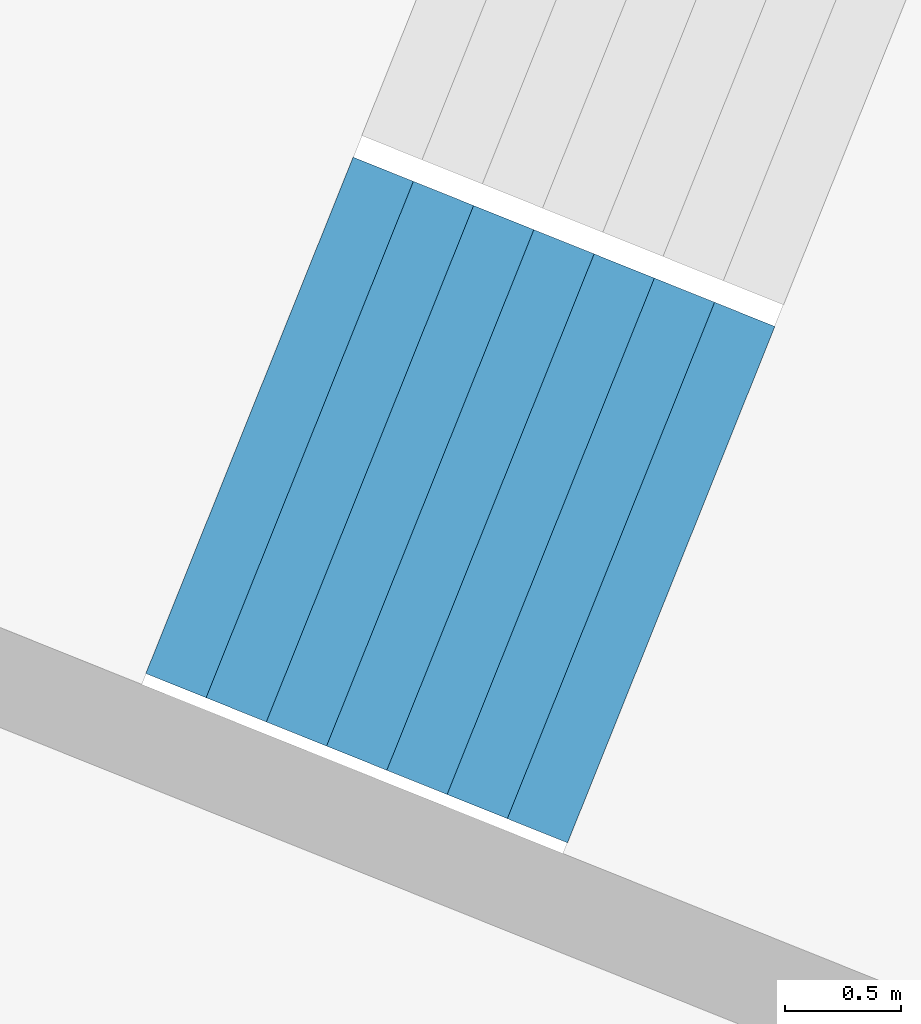
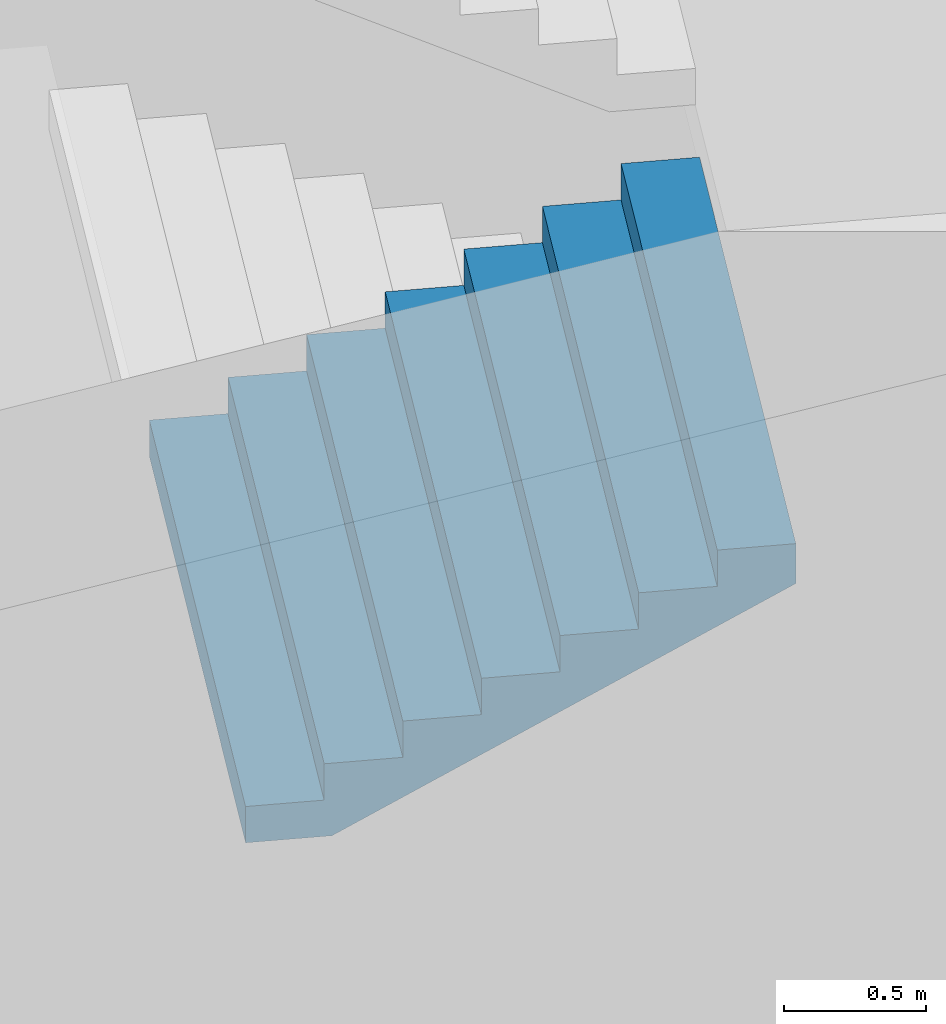
# One storey, part 50 of 73: 1 stair flight, 1 element without a shape of its own.
"""IFC4 building model written with IfcOpenShell, lengths in metres."""

from ifc_helpers import new_model, si_unit, direction, frame, origin, place, context, subcontext, project, spatial, triangles, material, type_object, element, aggregate, save


model = new_model("IFC4")

# Units and contexts
model_context = context("Model", 3, precision=1e-05, world=origin(), true_north=direction((0.0, 1.0)))
body_context = subcontext(model_context, "Body", "Model", "MODEL_VIEW")
ifc_project = project(units=[si_unit("LENGTHUNIT", "METRE"), si_unit("AREAUNIT", "SQUARE_METRE"), si_unit("VOLUMEUNIT", "CUBIC_METRE"), si_unit("PLANEANGLEUNIT", "RADIAN"), si_unit("MASSUNIT", "GRAM", prefix="KILO")], contexts=[model_context])

# Site, building, storey
site_placement = place(None, origin())
site = spatial("IfcSite", under=ifc_project, at=site_placement, CompositionType="ELEMENT")
building_placement = place(site_placement, origin())
building = spatial("IfcBuilding", under=site, at=building_placement, Name="Lantaw Convention Tower", CompositionType="ELEMENT")
storey_placement = place(building_placement, frame((0.0, 0.0, 27.0)))
storey = spatial("IfcBuildingStorey", under=building, at=storey_placement, Name="L04", CompositionType="ELEMENT", Elevation=27.0)

# Stair, stair flight
ifc_material = material(Name="Concrete C35/45", Category="concrete")
stair_type = type_object("IfcStairType", Name="Exit stair 2400 riser 156.25 in 4 flights", PredefinedType="HALF_TURN_STAIR", material=ifc_material)
stair_placement = place(storey_placement, origin())
stair = element("IfcStair", 1, at=stair_placement, inside=storey, type_object=stair_type, Name="Podium exit stair P12 L04", PredefinedType="HALF_TURN_STAIR")
stair_flight_type = type_object("IfcStairFlightType", Name="Stair flight 2400 riser 156.25", PredefinedType="STRAIGHT", material=ifc_material)
stair_flight_placement = place(storey_placement, frame((29.08642578125, -13.0234375, 2.5), z_axis=(0.0, 0.0, 1.0), x_axis=(0.928015818512, -0.372540790506, 0.0)))
stair_flight = element("IfcStairFlight", 2, at=stair_flight_placement, type_object=stair_flight_type, Name="P12 flight 3", NumberOfRisers=8, NumberOfTreads=7, PredefinedType="STRAIGHT", RiserHeight=0.15625, TreadLength=0.28, context=body_context, shape_type="Tessellation", body=[
    triangles([(0.0, 1.199951171875, 0.0), (0.0, 1.199951171875, 0.15625), (0.28, 1.199951171875, 0.0), (0.28, 1.199951171875, 0.15625), (0.28, 1.199951171875, 0.3125), (0.3076200632058044, 1.199951171875, 0.0), (0.3076200632058044, 1.199951171875, 0.3125), (0.56, 1.199951171875, 0.14083701830033238), (0.56, 1.199951171875, 0.3125), (0.56, 1.199951171875, 0.46875), (0.8400000000000001, 1.199951171875, 0.29708701830033235), (0.8400000000000001, 1.199951171875, 0.46875), (0.8400000000000001, 1.199951171875, 0.625), (1.12, 1.199951171875, 0.45333701830033235), (1.12, 1.199951171875, 0.625), (1.12, 1.199951171875, 0.78125), (1.4000000000000001, 1.199951171875, 0.6095870183003324), (1.4000000000000001, 1.199951171875, 0.78125), (1.4000000000000001, 1.199951171875, 0.9375), (1.6800000000000002, 1.199951171875, 0.7658370183003324), (1.6800000000000002, 1.199951171875, 0.9375), (1.6800000000000002, 1.199951171875, 1.09375), (1.9600000000000002, 1.199951171875, 0.9220870183003324), (1.9600000000000002, 1.199951171875, 1.09375), (0.0, -1.199951171875, 0.0), (0.0, -1.199951171875, 0.15625), (0.28, -1.199951171875, 0.0), (0.28, -1.199951171875, 0.15625), (0.28, -1.199951171875, 0.3125), (0.3076200632058044, -1.199951171875, 0.0), (0.3076200632058044, -1.199951171875, 0.3125), (0.56, -1.199951171875, 0.14083701830033238), (0.56, -1.199951171875, 0.3125), (0.56, -1.199951171875, 0.46875), (0.8400000000000001, -1.199951171875, 0.29708701830033235), (0.8400000000000001, -1.199951171875, 0.46875), (0.8400000000000001, -1.199951171875, 0.625), (1.12, -1.199951171875, 0.45333701830033235), (1.12, -1.199951171875, 0.625), (1.12, -1.199951171875, 0.78125), (1.4000000000000001, -1.199951171875, 0.6095870183003324), (1.4000000000000001, -1.199951171875, 0.78125), (1.4000000000000001, -1.199951171875, 0.9375), (1.6800000000000002, -1.199951171875, 0.7658370183003324), (1.6800000000000002, -1.199951171875, 0.9375), (1.6800000000000002, -1.199951171875, 1.09375), (1.9600000000000002, -1.199951171875, 0.9220870183003324), (1.9600000000000002, -1.199951171875, 1.09375), (0.0, 0.239990234375, 0.15625), (0.0, 0.239990234375, 0.0), (0.0, 0.1919921875, 0.15625), (0.0, 0.1919921875, 0.0), (0.0, 0.143994140625, 0.15625), (0.0, 0.143994140625, 0.0), (0.0, 0.09599609375, 0.15625), (0.0, 0.09599609375, 0.0), (0.0, 0.047998046875, 0.15625), (0.0, 0.047998046875, 0.0), (0.0, 0.0, 0.15625), (0.0, 0.0, 0.0), (0.0, -0.047998046875, 0.15625), (0.0, -0.047998046875, 0.0), (0.0, -0.09599609375, 0.15625), (0.0, -0.09599609375, 0.0), (0.0, -0.143994140625, 0.15625), (0.0, -0.143994140625, 0.0), (0.0, -0.1919921875, 0.15625), (0.0, -0.1919921875, 0.0), (0.0, -0.239990234375, 0.15625), (0.0, -0.239990234375, 0.0), (0.28, 0.239990234375, 0.3125), (0.28, 0.239990234375, 0.15625), (0.28, 0.1919921875, 0.3125), (0.28, 0.1919921875, 0.15625), (0.28, 0.143994140625, 0.3125), (0.28, 0.143994140625, 0.15625), (0.28, 0.09599609375, 0.3125), (0.28, 0.09599609375, 0.15625), (0.28, 0.047998046875, 0.3125), (0.28, 0.047998046875, 0.15625), (0.28, 0.0, 0.3125), (0.28, 0.0, 0.15625), (0.28, -0.047998046875, 0.3125), (0.28, -0.047998046875, 0.15625), (0.28, -0.09599609375, 0.3125), (0.28, -0.09599609375, 0.15625), (0.28, -0.143994140625, 0.3125), (0.28, -0.143994140625, 0.15625), (0.28, -0.1919921875, 0.3125), (0.28, -0.1919921875, 0.15625), (0.28, -0.239990234375, 0.3125), (0.28, -0.239990234375, 0.15625), (0.56, 0.239990234375, 0.46875), (0.56, 0.239990234375, 0.3125), (0.56, 0.1919921875, 0.46875), (0.56, 0.1919921875, 0.3125), (0.56, 0.143994140625, 0.46875), (0.56, 0.143994140625, 0.3125), (0.56, 0.09599609375, 0.46875), (0.56, 0.09599609375, 0.3125), (0.56, 0.047998046875, 0.46875), (0.56, 0.047998046875, 0.3125), (0.56, 0.0, 0.46875), (0.56, 0.0, 0.3125), (0.56, -0.047998046875, 0.46875), (0.56, -0.047998046875, 0.3125), (0.56, -0.09599609375, 0.46875), (0.56, -0.09599609375, 0.3125), (0.56, -0.143994140625, 0.46875), (0.56, -0.143994140625, 0.3125), (0.56, -0.1919921875, 0.46875), (0.56, -0.1919921875, 0.3125), (0.56, -0.239990234375, 0.46875), (0.56, -0.239990234375, 0.3125), (0.8400000000000001, 0.239990234375, 0.625), (0.8400000000000001, 0.239990234375, 0.46875), (0.8400000000000001, 0.1919921875, 0.625), (0.8400000000000001, 0.1919921875, 0.46875), (0.8400000000000001, 0.143994140625, 0.625), (0.8400000000000001, 0.143994140625, 0.46875), (0.8400000000000001, 0.09599609375, 0.625), (0.8400000000000001, 0.09599609375, 0.46875), (0.8400000000000001, 0.047998046875, 0.625), (0.8400000000000001, 0.047998046875, 0.46875), (0.8400000000000001, 0.0, 0.625), (0.8400000000000001, 0.0, 0.46875), (0.8400000000000001, -0.047998046875, 0.625), (0.8400000000000001, -0.047998046875, 0.46875), (0.8400000000000001, -0.09599609375, 0.625), (0.8400000000000001, -0.09599609375, 0.46875), (0.8400000000000001, -0.143994140625, 0.625), (0.8400000000000001, -0.143994140625, 0.46875), (0.8400000000000001, -0.1919921875, 0.625), (0.8400000000000001, -0.1919921875, 0.46875), (0.8400000000000001, -0.239990234375, 0.625), (0.8400000000000001, -0.239990234375, 0.46875), (1.12, 0.239990234375, 0.78125), (1.12, 0.239990234375, 0.625), (1.12, 0.1919921875, 0.78125), (1.12, 0.1919921875, 0.625), (1.12, 0.143994140625, 0.78125), (1.12, 0.143994140625, 0.625), (1.12, 0.09599609375, 0.78125), (1.12, 0.09599609375, 0.625), (1.12, 0.047998046875, 0.78125), (1.12, 0.047998046875, 0.625), (1.12, 0.0, 0.78125), (1.12, 0.0, 0.625), (1.12, -0.047998046875, 0.78125), (1.12, -0.047998046875, 0.625), (1.12, -0.09599609375, 0.78125), (1.12, -0.09599609375, 0.625), (1.12, -0.143994140625, 0.78125), (1.12, -0.143994140625, 0.625), (1.12, -0.1919921875, 0.78125), (1.12, -0.1919921875, 0.625), (1.12, -0.239990234375, 0.78125), (1.12, -0.239990234375, 0.625), (1.4000000000000001, 0.239990234375, 0.9375), (1.4000000000000001, 0.239990234375, 0.78125), (1.4000000000000001, 0.1919921875, 0.9375), (1.4000000000000001, 0.1919921875, 0.78125), (1.4000000000000001, 0.143994140625, 0.9375), (1.4000000000000001, 0.143994140625, 0.78125), (1.4000000000000001, 0.09599609375, 0.9375), (1.4000000000000001, 0.09599609375, 0.78125), (1.4000000000000001, 0.047998046875, 0.9375), (1.4000000000000001, 0.047998046875, 0.78125), (1.4000000000000001, 0.0, 0.9375), (1.4000000000000001, 0.0, 0.78125), (1.4000000000000001, -0.047998046875, 0.9375), (1.4000000000000001, -0.047998046875, 0.78125), (1.4000000000000001, -0.09599609375, 0.9375), (1.4000000000000001, -0.09599609375, 0.78125), (1.4000000000000001, -0.143994140625, 0.9375), (1.4000000000000001, -0.143994140625, 0.78125), (1.4000000000000001, -0.1919921875, 0.9375), (1.4000000000000001, -0.1919921875, 0.78125), (1.4000000000000001, -0.239990234375, 0.9375), (1.4000000000000001, -0.239990234375, 0.78125), (1.6800000000000002, 0.239990234375, 1.09375), (1.6800000000000002, 0.239990234375, 0.9375), (1.6800000000000002, 0.1919921875, 1.09375), (1.6800000000000002, 0.1919921875, 0.9375), (1.6800000000000002, 0.143994140625, 1.09375), (1.6800000000000002, 0.143994140625, 0.9375), (1.6800000000000002, 0.09599609375, 1.09375), (1.6800000000000002, 0.09599609375, 0.9375), (1.6800000000000002, 0.047998046875, 1.09375), (1.6800000000000002, 0.047998046875, 0.9375), (1.6800000000000002, 0.0, 1.09375), (1.6800000000000002, 0.0, 0.9375), (1.6800000000000002, -0.047998046875, 1.09375), (1.6800000000000002, -0.047998046875, 0.9375), (1.6800000000000002, -0.09599609375, 1.09375), (1.6800000000000002, -0.09599609375, 0.9375), (1.6800000000000002, -0.143994140625, 1.09375), (1.6800000000000002, -0.143994140625, 0.9375), (1.6800000000000002, -0.1919921875, 1.09375), (1.6800000000000002, -0.1919921875, 0.9375), (1.6800000000000002, -0.239990234375, 1.09375), (1.6800000000000002, -0.239990234375, 0.9375), (0.3076200632058044, 0.239990234375, 0.3125), (0.3076200632058044, 0.1919921875, 0.3125), (0.3076200632058044, 0.143994140625, 0.3125), (0.3076200632058044, 0.09599609375, 0.3125), (0.3076200632058044, 0.047998046875, 0.3125), (0.3076200632058044, 0.0, 0.3125), (0.3076200632058044, -0.047998046875, 0.3125), (0.3076200632058044, -0.09599609375, 0.3125), (0.3076200632058044, -0.143994140625, 0.3125), (0.3076200632058044, -0.1919921875, 0.3125), (0.3076200632058044, -0.239990234375, 0.3125), (1.9600000000000002, 0.239990234375, 1.09375), (1.9600000000000002, 0.1919921875, 1.09375), (1.9600000000000002, 0.143994140625, 1.09375), (1.9600000000000002, 0.09599609375, 1.09375), (1.9600000000000002, 0.047998046875, 1.09375), (1.9600000000000002, 0.0, 1.09375), (1.9600000000000002, -0.047998046875, 1.09375), (1.9600000000000002, -0.09599609375, 1.09375), (1.9600000000000002, -0.143994140625, 1.09375), (1.9600000000000002, -0.1919921875, 1.09375), (1.9600000000000002, -0.239990234375, 1.09375), (1.9600000000000002, 0.239990234375, 0.9220870183003324), (1.9600000000000002, 0.1919921875, 0.9220870183003324), (1.9600000000000002, 0.143994140625, 0.9220870183003324), (1.9600000000000002, 0.09599609375, 0.9220870183003324), (1.9600000000000002, 0.047998046875, 0.9220870183003324), (1.9600000000000002, 0.0, 0.9220870183003324), (1.9600000000000002, -0.047998046875, 0.9220870183003324), (1.9600000000000002, -0.09599609375, 0.9220870183003324), (1.9600000000000002, -0.143994140625, 0.9220870183003324), (1.9600000000000002, -0.1919921875, 0.9220870183003324), (1.9600000000000002, -0.239990234375, 0.9220870183003324), (1.6800000000000002, 0.239990234375, 0.7658370183003324), (1.6800000000000002, 0.1919921875, 0.7658370183003324), (1.6800000000000002, 0.143994140625, 0.7658370183003324), (1.6800000000000002, 0.09599609375, 0.7658370183003324), (1.6800000000000002, 0.047998046875, 0.7658370183003324), (1.6800000000000002, 0.0, 0.7658370183003324), (1.6800000000000002, -0.047998046875, 0.7658370183003324), (1.6800000000000002, -0.09599609375, 0.7658370183003324), (1.6800000000000002, -0.143994140625, 0.7658370183003324), (1.6800000000000002, -0.1919921875, 0.7658370183003324), (1.6800000000000002, -0.239990234375, 0.7658370183003324), (1.4000000000000001, 0.239990234375, 0.6095870183003324), (1.4000000000000001, 0.1919921875, 0.6095870183003324), (1.4000000000000001, 0.143994140625, 0.6095870183003324), (1.4000000000000001, 0.09599609375, 0.6095870183003324), (1.4000000000000001, 0.047998046875, 0.6095870183003324), (1.4000000000000001, 0.0, 0.6095870183003324), (1.4000000000000001, -0.047998046875, 0.6095870183003324), (1.4000000000000001, -0.09599609375, 0.6095870183003324), (1.4000000000000001, -0.143994140625, 0.6095870183003324), (1.4000000000000001, -0.1919921875, 0.6095870183003324), (1.4000000000000001, -0.239990234375, 0.6095870183003324), (1.12, 0.239990234375, 0.45333701830033235), (1.12, 0.1919921875, 0.45333701830033235), (1.12, 0.143994140625, 0.45333701830033235), (1.12, 0.09599609375, 0.45333701830033235), (1.12, 0.047998046875, 0.45333701830033235), (1.12, 0.0, 0.45333701830033235), (1.12, -0.047998046875, 0.45333701830033235), (1.12, -0.09599609375, 0.45333701830033235), (1.12, -0.143994140625, 0.45333701830033235), (1.12, -0.1919921875, 0.45333701830033235), (1.12, -0.239990234375, 0.45333701830033235), (0.8400000000000001, 0.239990234375, 0.29708701830033235), (0.8400000000000001, 0.1919921875, 0.29708701830033235), (0.8400000000000001, 0.143994140625, 0.29708701830033235), (0.8400000000000001, 0.09599609375, 0.29708701830033235), (0.8400000000000001, 0.047998046875, 0.29708701830033235), (0.8400000000000001, 0.0, 0.29708701830033235), (0.8400000000000001, -0.047998046875, 0.29708701830033235), (0.8400000000000001, -0.09599609375, 0.29708701830033235), (0.8400000000000001, -0.143994140625, 0.29708701830033235), (0.8400000000000001, -0.1919921875, 0.29708701830033235), (0.8400000000000001, -0.239990234375, 0.29708701830033235), (0.56, 0.239990234375, 0.14083701830033238), (0.56, 0.1919921875, 0.14083701830033238), (0.56, 0.143994140625, 0.14083701830033238), (0.56, 0.09599609375, 0.14083701830033238), (0.56, 0.047998046875, 0.14083701830033238), (0.56, 0.0, 0.14083701830033238), (0.56, -0.047998046875, 0.14083701830033238), (0.56, -0.09599609375, 0.14083701830033238), (0.56, -0.143994140625, 0.14083701830033238), (0.56, -0.1919921875, 0.14083701830033238), (0.56, -0.239990234375, 0.14083701830033238), (0.3076200632058044, 0.239990234375, 0.0), (0.3076200632058044, 0.1919921875, 0.0), (0.3076200632058044, 0.143994140625, 0.0), (0.3076200632058044, 0.09599609375, 0.0), (0.3076200632058044, 0.047998046875, 0.0), (0.3076200632058044, 0.0, 0.0), (0.3076200632058044, -0.047998046875, 0.0), (0.3076200632058044, -0.09599609375, 0.0), (0.3076200632058044, -0.143994140625, 0.0), (0.3076200632058044, -0.1919921875, 0.0), (0.3076200632058044, -0.239990234375, 0.0), (0.28, 0.239990234375, 0.0), (0.28, 0.1919921875, 0.0), (0.28, 0.143994140625, 0.0), (0.28, 0.09599609375, 0.0), (0.28, 0.047998046875, 0.0), (0.28, 0.0, 0.0), (0.28, -0.047998046875, 0.0), (0.28, -0.09599609375, 0.0), (0.28, -0.143994140625, 0.0), (0.28, -0.1919921875, 0.0), (0.28, -0.239990234375, 0.0)], [[1, 4, 3], [1, 2, 4], [3, 4, 6], [4, 7, 6], [4, 5, 7], [6, 9, 8], [6, 7, 9], [8, 9, 11], [9, 12, 11], [9, 10, 12], [11, 12, 14], [12, 15, 14], [12, 13, 15], [14, 15, 17], [15, 18, 17], [15, 16, 18], [17, 18, 20], [18, 21, 20], [18, 19, 21], [20, 21, 23], [21, 24, 23], [21, 22, 24], [25, 27, 28], [25, 28, 26], [27, 30, 28], [28, 30, 31], [28, 31, 29], [30, 32, 33], [30, 33, 31], [32, 35, 33], [33, 35, 36], [33, 36, 34], [35, 38, 36], [36, 38, 39], [36, 39, 37], [38, 41, 39], [39, 41, 42], [39, 42, 40], [41, 44, 42], [42, 44, 45], [42, 45, 43], [44, 47, 45], [45, 47, 48], [45, 48, 46], [1, 49, 2], [1, 50, 49], [50, 51, 49], [50, 52, 51], [52, 53, 51], [52, 54, 53], [54, 55, 53], [54, 56, 55], [56, 57, 55], [56, 58, 57], [58, 59, 57], [58, 60, 59], [60, 61, 59], [60, 62, 61], [62, 63, 61], [62, 64, 63], [64, 65, 63], [64, 66, 65], [66, 67, 65], [66, 68, 67], [68, 69, 67], [68, 70, 69], [70, 26, 69], [70, 25, 26], [4, 71, 5], [4, 72, 71], [72, 73, 71], [72, 74, 73], [74, 75, 73], [74, 76, 75], [76, 77, 75], [76, 78, 77], [78, 79, 77], [78, 80, 79], [80, 81, 79], [80, 82, 81], [82, 83, 81], [82, 84, 83], [84, 85, 83], [84, 86, 85], [86, 87, 85], [86, 88, 87], [88, 89, 87], [88, 90, 89], [90, 91, 89], [90, 92, 91], [92, 29, 91], [92, 28, 29], [9, 93, 10], [9, 94, 93], [94, 95, 93], [94, 96, 95], [96, 97, 95], [96, 98, 97], [98, 99, 97], [98, 100, 99], [100, 101, 99], [100, 102, 101], [102, 103, 101], [102, 104, 103], [104, 105, 103], [104, 106, 105], [106, 107, 105], [106, 108, 107], [108, 109, 107], [108, 110, 109], [110, 111, 109], [110, 112, 111], [112, 113, 111], [112, 114, 113], [114, 34, 113], [114, 33, 34], [12, 115, 13], [12, 116, 115], [116, 117, 115], [116, 118, 117], [118, 119, 117], [118, 120, 119], [120, 121, 119], [120, 122, 121], [122, 123, 121], [122, 124, 123], [124, 125, 123], [124, 126, 125], [126, 127, 125], [126, 128, 127], [128, 129, 127], [128, 130, 129], [130, 131, 129], [130, 132, 131], [132, 133, 131], [132, 134, 133], [134, 135, 133], [134, 136, 135], [136, 37, 135], [136, 36, 37], [15, 137, 16], [15, 138, 137], [138, 139, 137], [138, 140, 139], [140, 141, 139], [140, 142, 141], [142, 143, 141], [142, 144, 143], [144, 145, 143], [144, 146, 145], [146, 147, 145], [146, 148, 147], [148, 149, 147], [148, 150, 149], [150, 151, 149], [150, 152, 151], [152, 153, 151], [152, 154, 153], [154, 155, 153], [154, 156, 155], [156, 157, 155], [156, 158, 157], [158, 40, 157], [158, 39, 40], [18, 159, 19], [18, 160, 159], [160, 161, 159], [160, 162, 161], [162, 163, 161], [162, 164, 163], [164, 165, 163], [164, 166, 165], [166, 167, 165], [166, 168, 167], [168, 169, 167], [168, 170, 169], [170, 171, 169], [170, 172, 171], [172, 173, 171], [172, 174, 173], [174, 175, 173], [174, 176, 175], [176, 177, 175], [176, 178, 177], [178, 179, 177], [178, 180, 179], [180, 43, 179], [180, 42, 43], [21, 181, 22], [21, 182, 181], [182, 183, 181], [182, 184, 183], [184, 185, 183], [184, 186, 185], [186, 187, 185], [186, 188, 187], [188, 189, 187], [188, 190, 189], [190, 191, 189], [190, 192, 191], [192, 193, 191], [192, 194, 193], [194, 195, 193], [194, 196, 195], [196, 197, 195], [196, 198, 197], [198, 199, 197], [198, 200, 199], [200, 201, 199], [200, 202, 201], [202, 46, 201], [202, 45, 46], [2, 72, 4], [2, 49, 72], [49, 74, 72], [49, 51, 74], [51, 76, 74], [51, 53, 76], [53, 78, 76], [53, 55, 78], [55, 80, 78], [55, 57, 80], [57, 82, 80], [57, 59, 82], [59, 84, 82], [59, 61, 84], [61, 86, 84], [61, 63, 86], [63, 88, 86], [63, 65, 88], [65, 90, 88], [65, 67, 90], [67, 92, 90], [67, 69, 92], [69, 28, 92], [69, 26, 28], [5, 203, 7], [5, 71, 203], [71, 204, 203], [71, 73, 204], [73, 205, 204], [73, 75, 205], [75, 206, 205], [75, 77, 206], [77, 207, 206], [77, 79, 207], [79, 208, 207], [79, 81, 208], [81, 209, 208], [81, 83, 209], [83, 210, 209], [83, 85, 210], [85, 211, 210], [85, 87, 211], [87, 212, 211], [87, 89, 212], [89, 213, 212], [89, 91, 213], [91, 31, 213], [91, 29, 31], [7, 94, 9], [7, 203, 94], [203, 96, 94], [203, 204, 96], [204, 98, 96], [204, 205, 98], [205, 100, 98], [205, 206, 100], [206, 102, 100], [206, 207, 102], [207, 104, 102], [207, 208, 104], [208, 106, 104], [208, 209, 106], [209, 108, 106], [209, 210, 108], [210, 110, 108], [210, 211, 110], [211, 112, 110], [211, 212, 112], [212, 114, 112], [212, 213, 114], [213, 33, 114], [213, 31, 33], [10, 116, 12], [10, 93, 116], [93, 118, 116], [93, 95, 118], [95, 120, 118], [95, 97, 120], [97, 122, 120], [97, 99, 122], [99, 124, 122], [99, 101, 124], [101, 126, 124], [101, 103, 126], [103, 128, 126], [103, 105, 128], [105, 130, 128], [105, 107, 130], [107, 132, 130], [107, 109, 132], [109, 134, 132], [109, 111, 134], [111, 136, 134], [111, 113, 136], [113, 36, 136], [113, 34, 36], [13, 138, 15], [13, 115, 138], [115, 140, 138], [115, 117, 140], [117, 142, 140], [117, 119, 142], [119, 144, 142], [119, 121, 144], [121, 146, 144], [121, 123, 146], [123, 148, 146], [123, 125, 148], [125, 150, 148], [125, 127, 150], [127, 152, 150], [127, 129, 152], [129, 154, 152], [129, 131, 154], [131, 156, 154], [131, 133, 156], [133, 158, 156], [133, 135, 158], [135, 39, 158], [135, 37, 39], [16, 160, 18], [16, 137, 160], [137, 162, 160], [137, 139, 162], [139, 164, 162], [139, 141, 164], [141, 166, 164], [141, 143, 166], [143, 168, 166], [143, 145, 168], [145, 170, 168], [145, 147, 170], [147, 172, 170], [147, 149, 172], [149, 174, 172], [149, 151, 174], [151, 176, 174], [151, 153, 176], [153, 178, 176], [153, 155, 178], [155, 180, 178], [155, 157, 180], [157, 42, 180], [157, 40, 42], [19, 182, 21], [19, 159, 182], [159, 184, 182], [159, 161, 184], [161, 186, 184], [161, 163, 186], [163, 188, 186], [163, 165, 188], [165, 190, 188], [165, 167, 190], [167, 192, 190], [167, 169, 192], [169, 194, 192], [169, 171, 194], [171, 196, 194], [171, 173, 196], [173, 198, 196], [173, 175, 198], [175, 200, 198], [175, 177, 200], [177, 202, 200], [177, 179, 202], [179, 45, 202], [179, 43, 45], [22, 214, 24], [22, 181, 214], [181, 215, 214], [181, 183, 215], [183, 216, 215], [183, 185, 216], [185, 217, 216], [185, 187, 217], [187, 218, 217], [187, 189, 218], [189, 219, 218], [189, 191, 219], [191, 220, 219], [191, 193, 220], [193, 221, 220], [193, 195, 221], [195, 222, 221], [195, 197, 222], [197, 223, 222], [197, 199, 223], [199, 224, 223], [199, 201, 224], [201, 48, 224], [201, 46, 48], [24, 225, 23], [24, 214, 225], [214, 226, 225], [214, 215, 226], [215, 227, 226], [215, 216, 227], [216, 228, 227], [216, 217, 228], [217, 229, 228], [217, 218, 229], [218, 230, 229], [218, 219, 230], [219, 231, 230], [219, 220, 231], [220, 232, 231], [220, 221, 232], [221, 233, 232], [221, 222, 233], [222, 234, 233], [222, 223, 234], [223, 235, 234], [223, 224, 235], [224, 47, 235], [224, 48, 47], [23, 236, 20], [23, 225, 236], [225, 237, 236], [225, 226, 237], [226, 238, 237], [226, 227, 238], [227, 239, 238], [227, 228, 239], [228, 240, 239], [228, 229, 240], [229, 241, 240], [229, 230, 241], [230, 242, 241], [230, 231, 242], [231, 243, 242], [231, 232, 243], [232, 244, 243], [232, 233, 244], [233, 245, 244], [233, 234, 245], [234, 246, 245], [234, 235, 246], [235, 44, 246], [235, 47, 44], [20, 247, 17], [20, 236, 247], [236, 248, 247], [236, 237, 248], [237, 249, 248], [237, 238, 249], [238, 250, 249], [238, 239, 250], [239, 251, 250], [239, 240, 251], [240, 252, 251], [240, 241, 252], [241, 253, 252], [241, 242, 253], [242, 254, 253], [242, 243, 254], [243, 255, 254], [243, 244, 255], [244, 256, 255], [244, 245, 256], [245, 257, 256], [245, 246, 257], [246, 41, 257], [246, 44, 41], [17, 258, 14], [17, 247, 258], [247, 259, 258], [247, 248, 259], [248, 260, 259], [248, 249, 260], [249, 261, 260], [249, 250, 261], [250, 262, 261], [250, 251, 262], [251, 263, 262], [251, 252, 263], [252, 264, 263], [252, 253, 264], [253, 265, 264], [253, 254, 265], [254, 266, 265], [254, 255, 266], [255, 267, 266], [255, 256, 267], [256, 268, 267], [256, 257, 268], [257, 38, 268], [257, 41, 38], [14, 269, 11], [14, 258, 269], [258, 270, 269], [258, 259, 270], [259, 271, 270], [259, 260, 271], [260, 272, 271], [260, 261, 272], [261, 273, 272], [261, 262, 273], [262, 274, 273], [262, 263, 274], [263, 275, 274], [263, 264, 275], [264, 276, 275], [264, 265, 276], [265, 277, 276], [265, 266, 277], [266, 278, 277], [266, 267, 278], [267, 279, 278], [267, 268, 279], [268, 35, 279], [268, 38, 35], [11, 280, 8], [11, 269, 280], [269, 281, 280], [269, 270, 281], [270, 282, 281], [270, 271, 282], [271, 283, 282], [271, 272, 283], [272, 284, 283], [272, 273, 284], [273, 285, 284], [273, 274, 285], [274, 286, 285], [274, 275, 286], [275, 287, 286], [275, 276, 287], [276, 288, 287], [276, 277, 288], [277, 289, 288], [277, 278, 289], [278, 290, 289], [278, 279, 290], [279, 32, 290], [279, 35, 32], [8, 291, 6], [8, 280, 291], [280, 292, 291], [280, 281, 292], [281, 293, 292], [281, 282, 293], [282, 294, 293], [282, 283, 294], [283, 295, 294], [283, 284, 295], [284, 296, 295], [284, 285, 296], [285, 297, 296], [285, 286, 297], [286, 298, 297], [286, 287, 298], [287, 299, 298], [287, 288, 299], [288, 300, 299], [288, 289, 300], [289, 301, 300], [289, 290, 301], [290, 30, 301], [290, 32, 30], [6, 302, 3], [6, 291, 302], [291, 303, 302], [291, 292, 303], [292, 304, 303], [292, 293, 304], [293, 305, 304], [293, 294, 305], [294, 306, 305], [294, 295, 306], [295, 307, 306], [295, 296, 307], [296, 308, 307], [296, 297, 308], [297, 309, 308], [297, 298, 309], [298, 310, 309], [298, 299, 310], [299, 311, 310], [299, 300, 311], [300, 312, 311], [300, 301, 312], [301, 27, 312], [301, 30, 27], [3, 50, 1], [3, 302, 50], [302, 52, 50], [302, 303, 52], [303, 54, 52], [303, 304, 54], [304, 56, 54], [304, 305, 56], [305, 58, 56], [305, 306, 58], [306, 60, 58], [306, 307, 60], [307, 62, 60], [307, 308, 62], [308, 64, 62], [308, 309, 64], [309, 66, 64], [309, 310, 66], [310, 68, 66], [310, 311, 68], [311, 70, 68], [311, 312, 70], [312, 25, 70], [312, 27, 25]], closed=True),
])
aggregate(stair, [stair_flight])

save(model, "model.ifc")
